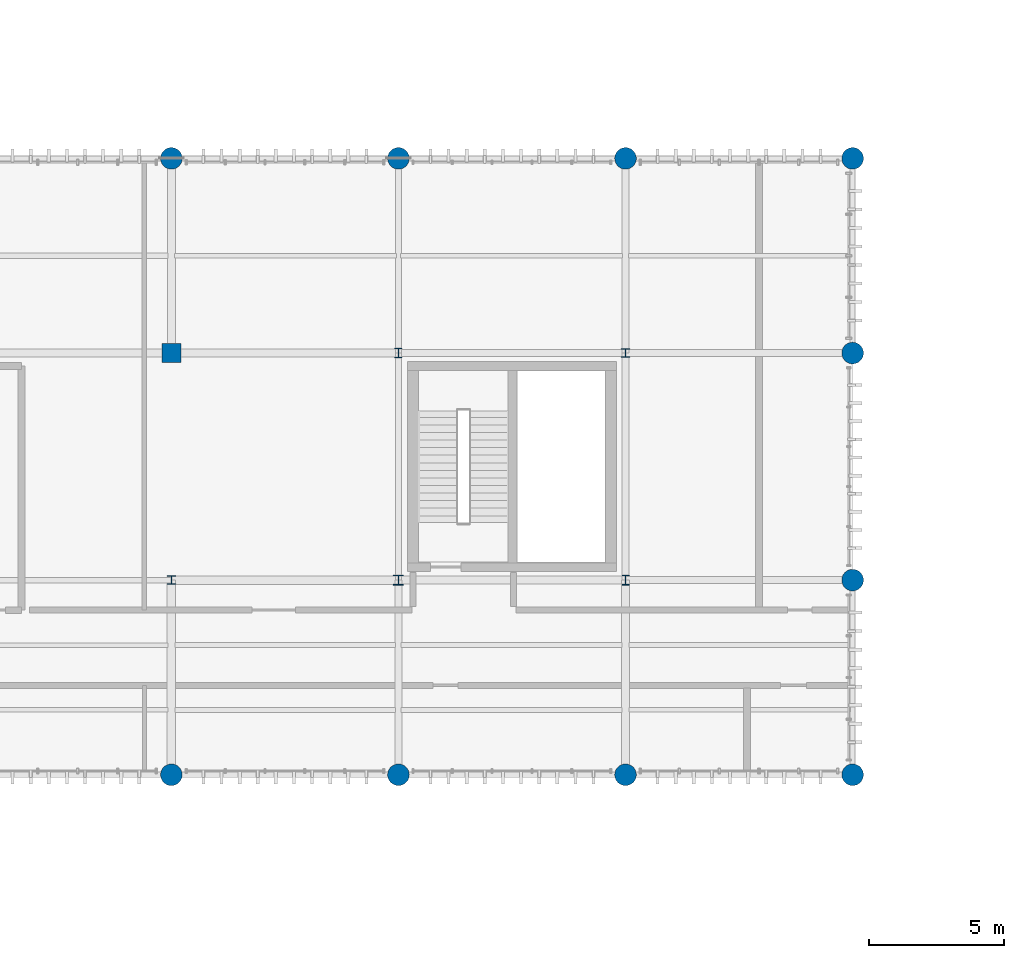
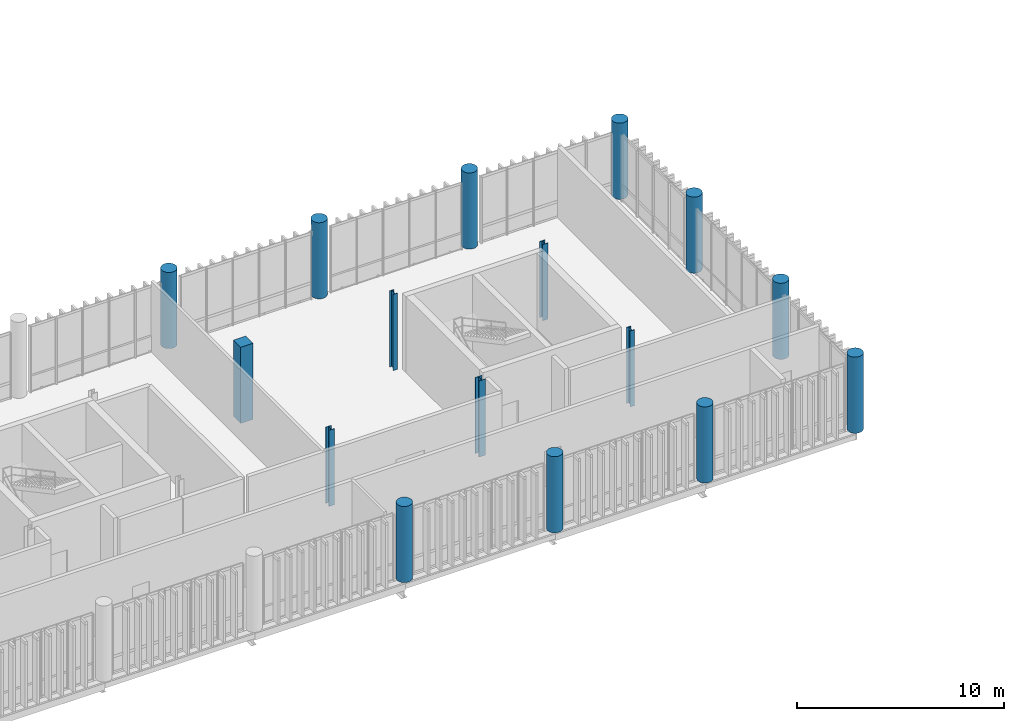
# One storey, part 4 of 68: 16 columns.
"""IFC4 building model written with IfcOpenShell, lengths in metres."""

from ifc_helpers import new_model, si_unit, direction, frame, origin_with_axes, origin_2d_with_axis, place, context, subcontext, project, spatial, rectangle, circle, i_section, extrude, material, material_profile, profile_set, type_object, element, save


model = new_model("IFC4")

# Units and contexts
model_context = context("Model", 3, precision=1e-05, world=origin_with_axes(), true_north=direction((0.0, 1.0)))
body_context = subcontext(model_context, "Body", "Model", "MODEL_VIEW")
ifc_project = project(units=[si_unit("LENGTHUNIT", "METRE"), si_unit("AREAUNIT", "SQUARE_METRE"), si_unit("VOLUMEUNIT", "CUBIC_METRE"), si_unit("PLANEANGLEUNIT", "RADIAN"), si_unit("MASSUNIT", "GRAM", prefix="KILO"), si_unit("THERMODYNAMICTEMPERATUREUNIT", "KELVIN")], contexts=[model_context])

# Site, building, storey
site_placement = place(None, origin_with_axes())
site = spatial("IfcSite", under=ifc_project, at=site_placement, CompositionType="ELEMENT")
building_placement = place(site_placement, origin_with_axes())
building = spatial("IfcBuilding", under=site, at=building_placement, Name="Montbau Bow Law Courts", CompositionType="ELEMENT")
storey_placement = place(building_placement, frame((0.0, 0.0, 20.4), z_axis=(0.0, 0.0, 1.0), x_axis=(1.0, 0.0, 0.0)))
storey = spatial("IfcBuildingStorey", under=building, at=storey_placement, Name="L04", CompositionType="ELEMENT", Elevation=20.4)

# Columns
ifc_material_1 = material(Name="Concrete CSA A23.1 f'c 40 MPa", Category="concrete")
ifc_material_profile_1 = material_profile(ifc_material_1, rectangle(XDim=0.7, YDim=0.7, at=origin_2d_with_axis()), Name="RC700X700", Category="Main", Priority=0)
ifc_profile_set_1 = profile_set([ifc_material_profile_1], Name="Concrete CSA A23.1 f'c 40 MPa")
column_type_1 = type_object("IfcColumnType", Name="C-RC-04", PredefinedType="COLUMN", material=ifc_profile_set_1)
column_1_placement = place(None, frame((72.0, 54.6, 20.4), z_axis=(0.0, 0.0, 1.0), x_axis=(1.0, 0.0, 0.0)))
element("IfcColumn", 1, at=column_1_placement, inside=storey, type_object=column_type_1, Name="C-L04-S0801:col2_0801", PredefinedType="COLUMN", context=body_context, shape_type="SweptSolid", body=[
    extrude(rectangle(XDim=0.7, YDim=0.7, at=origin_2d_with_axis()), origin_with_axes(), (0.0, 0.0, 1.0), 4.5),
])
ifc_material_profile_2 = material_profile(ifc_material_1, circle(Radius=0.4, at=origin_2d_with_axis()), Name="RC800D", Category="Main", Priority=0)
ifc_profile_set_2 = profile_set([ifc_material_profile_2], Name="Concrete CSA A23.1 f'c 40 MPa")
column_type_2 = type_object("IfcColumnType", Name="C-RC-07", PredefinedType="COLUMN", material=ifc_profile_set_2)
for number, where, z_axis, x_axis, name in (
    (2, (72.0, 39.0, 20.4), (0.0, 0.0, 1.0), (1.0, 0.0, 0.0), "C-L04-S0799:col2_0799"),
    (3, (72.0, 61.8, 20.4), (0.0, 0.0, 1.0), (1.0, 0.0, 0.0), "C-L04-S0802:col2_0802"),
    (4, (80.4, 39.0, 20.4), (0.0, 0.0, 1.0), (1.0, 0.0, 0.0), "C-L04-S0803:col2_0803"),
    (5, (80.4, 61.8, 20.4), (0.0, 0.0, 1.0), (1.0, 0.0, 0.0), "C-L04-S0806:col2_0806"),
    (6, (88.8, 39.0, 20.4), (0.0, 0.0, 1.0), (1.0, 0.0, 0.0), "C-L04-S0807:col2_0807"),
    (7, (88.8, 61.8, 20.4), (0.0, 0.0, 1.0), (1.0, 0.0, 0.0), "C-L04-S0810:col2_0810"),
    (8, (97.2, 39.0, 20.4), (0.0, 0.0, 1.0), (1.0, 0.0, 0.0), "C-L04-S0811:col2_0811"),
    (9, (97.2, 46.2, 20.4), (0.0, 0.0, 1.0), (1.0, 0.0, 0.0), "C-L04-S0812:col2_0812"),
    (10, (97.2, 54.6, 20.4), (0.0, 0.0, 1.0), (1.0, 0.0, 0.0), "C-L04-S0813:col2_0813"),
    (11, (97.2, 61.8, 20.4), (0.0, 0.0, 1.0), (1.0, 0.0, 0.0), "C-L04-S0814:col2_0814"),
):
    element("IfcColumn", number, at=place(None, frame(where, z_axis=z_axis, x_axis=x_axis)), inside=storey, type_object=column_type_2, Name=name, PredefinedType="COLUMN", context=body_context, shape_type="SweptSolid", body=[
        extrude(circle(Radius=0.4, at=origin_2d_with_axis()), origin_with_axes(), (0.0, 0.0, 1.0), 4.5),
    ])
ifc_material_2 = material(Name="Steel CSA G40.21 Grade 350W (350 MPa)", Category="steel")
ifc_material_profile_3 = material_profile(ifc_material_2, i_section(OverallWidth=0.373, OverallDepth=0.368, WebThickness=0.015, FlangeThickness=0.0239, at=origin_2d_with_axis()), Name="W360X179", Category="Main", Priority=0)
ifc_profile_set_3 = profile_set([ifc_material_profile_3], Name="Steel CSA G40.21 Grade 350W (350 MPa)")
column_type_3 = type_object("IfcColumnType", Name="C-STL-04", PredefinedType="COLUMN", material=ifc_profile_set_3)
column_2_placement = place(None, frame((80.4, 46.2, 20.4), z_axis=(0.0, 0.0, 1.0), x_axis=(1.0, 0.0, 0.0)))
element("IfcColumn", 12, at=column_2_placement, inside=storey, type_object=column_type_3, Name="C-L04-S0804:col2_0804", PredefinedType="COLUMN", context=body_context, shape_type="SweptSolid", body=[
    extrude(i_section(OverallWidth=0.373, OverallDepth=0.368, WebThickness=0.015, FlangeThickness=0.0239, at=origin_2d_with_axis()), origin_with_axes(), (0.0, 0.0, 1.0), 4.5),
])
ifc_material_profile_4 = material_profile(ifc_material_2, i_section(OverallWidth=0.257, OverallDepth=0.363, WebThickness=0.013, FlangeThickness=0.0217, at=origin_2d_with_axis()), Name="W360X122", Category="Main", Priority=0)
ifc_profile_set_4 = profile_set([ifc_material_profile_4], Name="Steel CSA G40.21 Grade 350W (350 MPa)")
column_type_4 = type_object("IfcColumnType", Name="C-STL-05", PredefinedType="COLUMN", material=ifc_profile_set_4)
for number, where, z_axis, x_axis, name in (
    (13, (80.4, 54.6, 20.4), (0.0, 0.0, 1.0), (1.0, 0.0, 0.0), "C-L04-S0805:col2_0805"),
    (14, (88.8, 46.2, 20.4), (0.0, 0.0, 1.0), (1.0, 0.0, 0.0), "C-L04-S0808:col2_0808"),
):
    element("IfcColumn", number, at=place(None, frame(where, z_axis=z_axis, x_axis=x_axis)), inside=storey, type_object=column_type_4, Name=name, PredefinedType="COLUMN", context=body_context, shape_type="SweptSolid", body=[
        extrude(i_section(OverallWidth=0.257, OverallDepth=0.363, WebThickness=0.013, FlangeThickness=0.0217, at=origin_2d_with_axis()), origin_with_axes(), (0.0, 0.0, 1.0), 4.5),
    ])
ifc_material_profile_5 = material_profile(ifc_material_2, i_section(OverallWidth=0.309, OverallDepth=0.323, WebThickness=0.014, FlangeThickness=0.0229, at=origin_2d_with_axis()), Name="W310X143", Category="Main", Priority=0)
ifc_profile_set_5 = profile_set([ifc_material_profile_5], Name="Steel CSA G40.21 Grade 350W (350 MPa)")
column_type_5 = type_object("IfcColumnType", Name="C-STL-06", PredefinedType="COLUMN", material=ifc_profile_set_5)
for number, where, z_axis, x_axis, name in (
    (15, (72.0, 46.2, 20.4), (0.0, 0.0, 1.0), (1.0, 0.0, 0.0), "C-L04-S0800:col2_0800"),
    (16, (88.8, 54.6, 20.4), (0.0, 0.0, 1.0), (1.0, 0.0, 0.0), "C-L04-S0809:col2_0809"),
):
    element("IfcColumn", number, at=place(None, frame(where, z_axis=z_axis, x_axis=x_axis)), inside=storey, type_object=column_type_5, Name=name, PredefinedType="COLUMN", context=body_context, shape_type="SweptSolid", body=[
        extrude(i_section(OverallWidth=0.309, OverallDepth=0.323, WebThickness=0.014, FlangeThickness=0.0229, at=origin_2d_with_axis()), origin_with_axes(), (0.0, 0.0, 1.0), 4.5),
    ])

save(model, "model.ifc")
